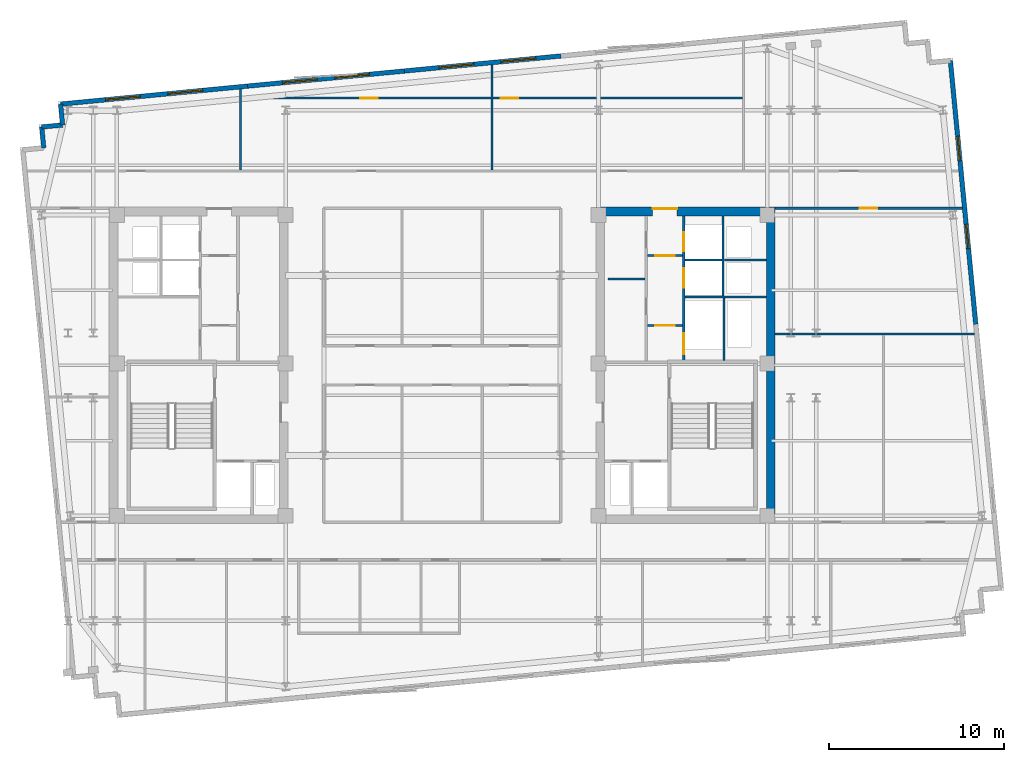
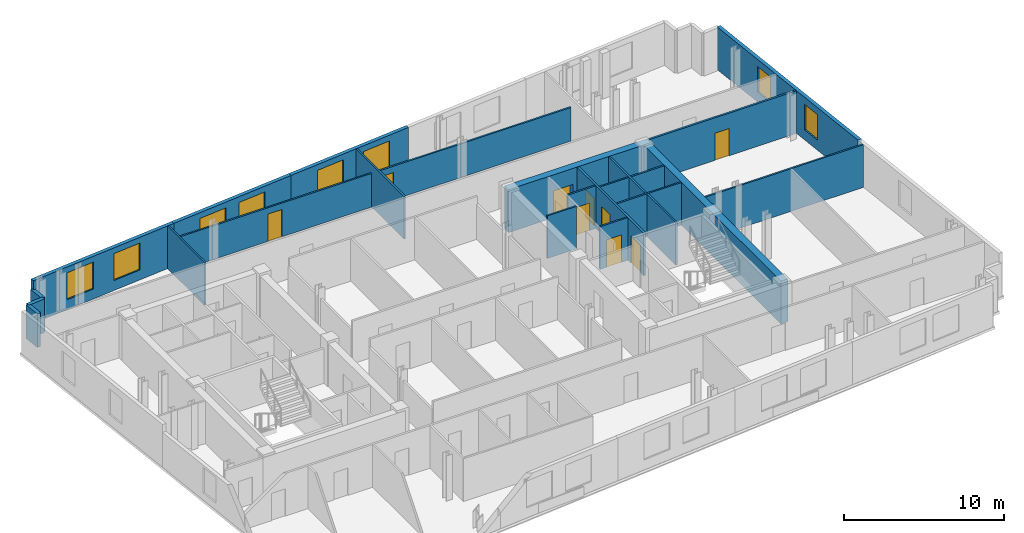
# One storey, part 6 of 9: 23 walls, 9 doors, 8 windows, 17 openings.
"""IFC4 building model written with IfcOpenShell, lengths in metres."""

from ifc_helpers import new_model, si_unit, direction, frame, frame_2d, origin, place, context, subcontext, project, spatial, rectangle, extrude, material, layer, layer_set, type_object, element, fill, save


model = new_model("IFC4")

# Units and contexts
model_context = context("Model", 3, precision=1e-05, world=origin(), true_north=direction((0.0, 1.0)))
body_context = subcontext(model_context, "Body", "Model", "MODEL_VIEW")
ifc_project = project(units=[si_unit("LENGTHUNIT", "METRE"), si_unit("AREAUNIT", "SQUARE_METRE"), si_unit("VOLUMEUNIT", "CUBIC_METRE"), si_unit("PLANEANGLEUNIT", "RADIAN"), si_unit("MASSUNIT", "GRAM", prefix="KILO")], contexts=[model_context])

# Site, building, storey
site_placement = place(None, origin())
site = spatial("IfcSite", under=ifc_project, at=site_placement, CompositionType="ELEMENT")
building_placement = place(site_placement, origin())
building = spatial("IfcBuilding", under=site, at=building_placement, Name="Velakula Bourse", CompositionType="ELEMENT")
storey_placement = place(building_placement, frame((0.0, 0.0, 275.85009765625)))
storey = spatial("IfcBuildingStorey", under=building, at=storey_placement, Name="L75", CompositionType="ELEMENT", Elevation=275.85009765625)

# Wall, opening, door
ifc_material_1 = material(Name="Concrete M50 (fck 50 MPa)", Category="concrete")
ifc_layer_1 = layer(ifc_material_1, 0.5, Name="Concrete M50 (fck 50 MPa)", Category="concrete")
ifc_layer_set_1 = layer_set([ifc_layer_1], Name="Concrete M50 (fck 50 MPa)")
wall_type_1 = type_object("IfcWallType", Name="WL-CORE-500", PredefinedType="SHEAR", material=ifc_layer_set_1)
wall_1_placement = place(storey_placement, frame((8.800048828125, 8.800048828125, 0.0), z_axis=(0.0, 0.0, 1.0), x_axis=(1.0, 0.0, 0.0)))
wall_1 = element("IfcWall", 1, at=wall_1_placement, inside=storey, type_object=wall_type_1, Name="L75 Core E Shear Wall N", PredefinedType="SHEAR", context=body_context, shape_type="SweptSolid", body=[
    extrude(rectangle(XDim=10.25, YDim=0.5, at=frame_2d((5.125, 0.0))), origin(), (0.0, 0.0, 1.0), 3.27001953125),
])
opening_1_placement = place(wall_1_placement, frame((3.25, 0.0, 0.0)))
opening_1 = element("IfcOpeningElement", 2, at=opening_1_placement, cuts=wall_1, Name="Opening D-LLE", PredefinedType="OPENING", context=body_context, shape_type="SweptSolid", body=[
    extrude(rectangle(XDim=1.39990234375, YDim=2.050048828125, at=frame_2d((0.699951171875, 1.02490234375))), frame((0.0, 0.260009765625, 0.0), z_axis=(0.0, -1.0, 0.0), x_axis=(1.0, 0.0, 0.0)), (0.0, 0.0, 1.0), 0.52001953125),
])
ifc_material_2 = material(Name="Fire-rated hardwood flush architectural door", Category="wood")
door_type_1 = type_object("IfcDoorType", Name="DR-DBL-FD60-1400", OperationType="DOUBLE_DOOR_SINGLE_SWING", PredefinedType="DOOR", material=ifc_material_2)
door_1_placement = place(opening_1_placement, origin())
door_1 = element("IfcDoor", 3, at=door_1_placement, inside=storey, type_object=door_type_1, Name="L75 Core E Lift Lobby Corridor Double Door", OperationType="DOUBLE_DOOR_SINGLE_SWING", OverallHeight=2.050048828125, OverallWidth=1.39990234375, PredefinedType="DOOR", context=body_context, shape_type="SweptSolid", body=[
    extrude(rectangle(XDim=1.39990234375, YDim=2.050048828125, at=frame_2d((0.699951171875, 1.02490234375))), frame((0.0, 0.19482421875, 0.0), z_axis=(0.0, -1.0, 0.0), x_axis=(1.0, 0.0, 0.0)), (0.0, 0.0, 1.0), 0.050048828125),
])
fill(opening_1, door_1)

# Wall
wall_2_placement = place(storey_placement, frame((18.800048828125, -8.550048828125, 0.0), z_axis=(0.0, 0.0, 1.0), x_axis=(0.0, 1.0, 0.0)))
element("IfcWall", 4, at=wall_2_placement, inside=storey, type_object=wall_type_1, Name="L75 Core E Shear Wall E", PredefinedType="SHEAR", context=body_context, shape_type="SweptSolid", body=[
    extrude(rectangle(XDim=17.10009765625, YDim=0.5, at=frame_2d((8.550048828125, 0.0))), origin(), (0.0, 0.0, 1.0), 3.27001953125),
])

# Wall, openings, windows
ifc_material_3 = material(Name="Buff kilned clay facing brick masonry", Category="masonry")
ifc_layer_2 = layer(ifc_material_3, 0.260009765625, Name="Buff kilned clay facing brick masonry", Category="masonry")
ifc_layer_set_2 = layer_set([ifc_layer_2], Name="Buff kilned clay facing brick masonry")
wall_type_2 = type_object("IfcWallType", Name="WL-EXT-BRK-260", PredefinedType="STANDARD", material=ifc_layer_set_2)
wall_3_placement = place(storey_placement, frame((-21.820556640625, 14.94482421875, 0.0), z_axis=(0.0, 0.0, 1.0), x_axis=(0.995394787719, 0.095860401528, 0.0)))
wall_3 = element("IfcWall", 5, at=wall_3_placement, inside=storey, type_object=wall_type_2, Name="L75 N Brick Spandrel Wall B1", PredefinedType="STANDARD", context=body_context, shape_type="SweptSolid", body=[
    extrude(rectangle(XDim=10.750244140625, YDim=0.260009765625, at=frame_2d((5.375, 0.0))), origin(), (0.0, 0.0, 1.0), 3.25),
])
opening_2_placement = place(wall_3_placement, frame((2.583251953125, 0.0, 0.760009765625)))
opening_2 = element("IfcOpeningElement", 6, at=opening_2_placement, cuts=wall_3, Name="Opening W-05", PredefinedType="OPENING", context=body_context, shape_type="SweptSolid", body=[
    extrude(rectangle(XDim=2.0, YDim=2.050048828125, at=frame_2d((1.0, 1.02490234375))), frame((0.0, 0.139892578125, 0.0), z_axis=(0.0, -1.0, 0.0), x_axis=(1.0, 0.0, 0.0)), (0.0, 0.0, 1.0), 0.280029296875),
])
opening_3_placement = place(wall_3_placement, frame((6.166748046875, 0.0, 0.760009765625)))
opening_3 = element("IfcOpeningElement", 7, at=opening_3_placement, cuts=wall_3, Name="Opening W-05", PredefinedType="OPENING", context=body_context, shape_type="SweptSolid", body=[
    extrude(rectangle(XDim=2.0, YDim=2.050048828125, at=frame_2d((1.0, 1.02490234375))), frame((0.0, 0.139892578125, 0.0), z_axis=(0.0, -1.0, 0.0), x_axis=(1.0, 0.0, 0.0)), (0.0, 0.0, 1.0), 0.280029296875),
])
ifc_material_4 = material(Name="Double-glazed solar-control Low-E glass", Category="glass")
window_type_1 = type_object("IfcWindowType", Name="WIN-TWR-2000x2200", PartitioningType="DOUBLE_PANEL_VERTICAL", PredefinedType="WINDOW", material=ifc_material_4)
window_1_placement = place(opening_2_placement, origin())
window_1 = element("IfcWindow", 8, at=window_1_placement, inside=storey, type_object=window_type_1, Name="L75 Deep-Set Recessed Window 1", OverallHeight=2.050048828125, OverallWidth=2.0, PartitioningType="DOUBLE_PANEL_VERTICAL", PredefinedType="WINDOW", context=body_context, shape_type="SweptSolid", body=[
    extrude(rectangle(XDim=2.0, YDim=2.050048828125, at=frame_2d((1.0, 1.02490234375))), frame((0.0, 0.030029296875, 0.0), z_axis=(0.0, -1.0, 0.0), x_axis=(1.0, 0.0, 0.0)), (0.0, 0.0, 1.0), 0.06005859375),
])
fill(opening_2, window_1)
window_2_placement = place(opening_3_placement, origin())
window_2 = element("IfcWindow", 9, at=window_2_placement, inside=storey, type_object=window_type_1, Name="L75 Deep-Set Recessed Window 2", OverallHeight=2.050048828125, OverallWidth=2.0, PartitioningType="DOUBLE_PANEL_VERTICAL", PredefinedType="WINDOW", context=body_context, shape_type="SweptSolid", body=[
    extrude(rectangle(XDim=2.0, YDim=2.050048828125, at=frame_2d((1.0, 1.02490234375))), frame((0.0, 0.030029296875, 0.0), z_axis=(0.0, -1.0, 0.0), x_axis=(1.0, 0.0, 0.0)), (0.0, 0.0, 1.0), 0.06005859375),
])
fill(opening_3, window_2)

wall_4_placement = place(storey_placement, frame((-11.119873046875, 15.975341796875, 0.0), z_axis=(0.0, 0.0, 1.0), x_axis=(0.995396794462, 0.09583956164, 0.0)))
wall_4 = element("IfcWall", 10, at=wall_4_placement, inside=storey, type_object=wall_type_2, Name="L75 N Brick Spandrel Wall B2", PredefinedType="STANDARD", context=body_context, shape_type="SweptSolid", body=[
    extrude(rectangle(XDim=9.0, YDim=0.260009765625, at=frame_2d((4.5, 0.0))), origin(), (0.0, 0.0, 1.0), 3.25),
])
opening_4_placement = place(wall_4_placement, frame((2.0, 0.0, 0.760009765625)))
opening_4 = element("IfcOpeningElement", 11, at=opening_4_placement, cuts=wall_4, Name="Opening W-05", PredefinedType="OPENING", context=body_context, shape_type="SweptSolid", body=[
    extrude(rectangle(XDim=2.0, YDim=2.050048828125, at=frame_2d((1.0, 1.02490234375))), frame((0.0, 0.139892578125, 0.0), z_axis=(0.0, -1.0, 0.0), x_axis=(1.0, 0.0, 0.0)), (0.0, 0.0, 1.0), 0.280029296875),
])
opening_5_placement = place(wall_4_placement, frame((5.0, 0.0, 0.760009765625)))
opening_5 = element("IfcOpeningElement", 12, at=opening_5_placement, cuts=wall_4, Name="Opening W-05", PredefinedType="OPENING", context=body_context, shape_type="SweptSolid", body=[
    extrude(rectangle(XDim=2.0, YDim=2.050048828125, at=frame_2d((1.0, 1.02490234375))), frame((0.0, 0.139892578125, 0.0), z_axis=(0.0, -1.0, 0.0), x_axis=(1.0, 0.0, 0.0)), (0.0, 0.0, 1.0), 0.280029296875),
])
window_3_placement = place(opening_4_placement, origin())
window_3 = element("IfcWindow", 13, at=window_3_placement, inside=storey, type_object=window_type_1, Name="L75 Deep-Set Recessed Window 1", OverallHeight=2.050048828125, OverallWidth=2.0, PartitioningType="DOUBLE_PANEL_VERTICAL", PredefinedType="WINDOW", context=body_context, shape_type="SweptSolid", body=[
    extrude(rectangle(XDim=2.0, YDim=2.050048828125, at=frame_2d((1.0, 1.02490234375))), frame((0.0, 0.030029296875, 0.0), z_axis=(0.0, -1.0, 0.0), x_axis=(1.0, 0.0, 0.0)), (0.0, 0.0, 1.0), 0.06005859375),
])
fill(opening_4, window_3)
window_4_placement = place(opening_5_placement, origin())
window_4 = element("IfcWindow", 14, at=window_4_placement, inside=storey, type_object=window_type_1, Name="L75 Deep-Set Recessed Window 2", OverallHeight=2.050048828125, OverallWidth=2.0, PartitioningType="DOUBLE_PANEL_VERTICAL", PredefinedType="WINDOW", context=body_context, shape_type="SweptSolid", body=[
    extrude(rectangle(XDim=2.0, YDim=2.050048828125, at=frame_2d((1.0, 1.02490234375))), frame((0.0, 0.030029296875, 0.0), z_axis=(0.0, -1.0, 0.0), x_axis=(1.0, 0.0, 0.0)), (0.0, 0.0, 1.0), 0.06005859375),
])
fill(opening_5, window_4)

wall_5_placement = place(storey_placement, frame((-2.161376953125, 16.837890625, 0.0), z_axis=(0.0, 0.0, 1.0), x_axis=(0.995396794462, 0.09583956164, 0.0)))
wall_5 = element("IfcWall", 15, at=wall_5_placement, inside=storey, type_object=wall_type_2, Name="L75 N Brick Spandrel Wall B3", PredefinedType="STANDARD", context=body_context, shape_type="SweptSolid", body=[
    extrude(rectangle(XDim=9.0, YDim=0.260009765625, at=frame_2d((4.5, 0.0))), origin(), (0.0, 0.0, 1.0), 3.25),
])
opening_6_placement = place(wall_5_placement, frame((2.0, 0.0, 0.760009765625)))
opening_6 = element("IfcOpeningElement", 16, at=opening_6_placement, cuts=wall_5, Name="Opening W-05", PredefinedType="OPENING", context=body_context, shape_type="SweptSolid", body=[
    extrude(rectangle(XDim=2.0, YDim=2.050048828125, at=frame_2d((1.0, 1.02490234375))), frame((0.0, 0.139892578125, 0.0), z_axis=(0.0, -1.0, 0.0), x_axis=(1.0, 0.0, 0.0)), (0.0, 0.0, 1.0), 0.280029296875),
])
opening_7_placement = place(wall_5_placement, frame((5.550048828125, 0.0, 0.760009765625)))
opening_7 = element("IfcOpeningElement", 17, at=opening_7_placement, cuts=wall_5, Name="Opening W-05", PredefinedType="OPENING", context=body_context, shape_type="SweptSolid", body=[
    extrude(rectangle(XDim=2.0, YDim=2.050048828125, at=frame_2d((1.0, 1.02490234375))), frame((0.0, 0.139892578125, 0.0), z_axis=(0.0, -1.0, 0.0), x_axis=(1.0, 0.0, 0.0)), (0.0, 0.0, 1.0), 0.280029296875),
])
window_5_placement = place(opening_6_placement, origin())
window_5 = element("IfcWindow", 18, at=window_5_placement, inside=storey, type_object=window_type_1, Name="L75 Deep-Set Recessed Window 1", OverallHeight=2.050048828125, OverallWidth=2.0, PartitioningType="DOUBLE_PANEL_VERTICAL", PredefinedType="WINDOW", context=body_context, shape_type="SweptSolid", body=[
    extrude(rectangle(XDim=2.0, YDim=2.050048828125, at=frame_2d((1.0, 1.02490234375))), frame((0.0, 0.030029296875, 0.0), z_axis=(0.0, -1.0, 0.0), x_axis=(1.0, 0.0, 0.0)), (0.0, 0.0, 1.0), 0.06005859375),
])
fill(opening_6, window_5)
window_6_placement = place(opening_7_placement, origin())
window_6 = element("IfcWindow", 19, at=window_6_placement, inside=storey, type_object=window_type_1, Name="L75 Deep-Set Recessed Window 2", OverallHeight=2.050048828125, OverallWidth=2.0, PartitioningType="DOUBLE_PANEL_VERTICAL", PredefinedType="WINDOW", context=body_context, shape_type="SweptSolid", body=[
    extrude(rectangle(XDim=2.0, YDim=2.050048828125, at=frame_2d((1.0, 1.02490234375))), frame((0.0, 0.030029296875, 0.0), z_axis=(0.0, -1.0, 0.0), x_axis=(1.0, 0.0, 0.0)), (0.0, 0.0, 1.0), 0.06005859375),
])
fill(opening_7, window_6)

wall_6_placement = place(storey_placement, frame((29.0751953125, 17.4345703125, 0.0), z_axis=(0.0, 0.0, 1.0), x_axis=(0.095850890337, -0.995395703638, 0.0)))
wall_6 = element("IfcWall", 20, at=wall_6_placement, inside=storey, type_object=wall_type_2, Name="L75 E Brick End Wall W2", PredefinedType="STANDARD", context=body_context, shape_type="SweptSolid", body=[
    extrude(rectangle(XDim=15.150146484375, YDim=0.260009765625, at=frame_2d((7.5751953125, 0.0))), origin(), (0.0, 0.0, 1.0), 3.25),
])
opening_8_placement = place(wall_6_placement, frame((4.35009765625, 0.0, 0.760009765625)))
opening_8 = element("IfcOpeningElement", 21, at=opening_8_placement, cuts=wall_6, Name="Opening W-03", PredefinedType="OPENING", context=body_context, shape_type="SweptSolid", body=[
    extrude(rectangle(XDim=1.39990234375, YDim=1.949951171875, at=frame_2d((0.699951171875, 0.97509765625))), frame((0.0, 0.139892578125, 0.0), z_axis=(0.0, -1.0, 0.0), x_axis=(1.0, 0.0, 0.0)), (0.0, 0.0, 1.0), 0.280029296875),
])
opening_9_placement = place(wall_6_placement, frame((9.39990234375, 0.0, 0.760009765625)))
opening_9 = element("IfcOpeningElement", 22, at=opening_9_placement, cuts=wall_6, Name="Opening W-03", PredefinedType="OPENING", context=body_context, shape_type="SweptSolid", body=[
    extrude(rectangle(XDim=1.39990234375, YDim=1.949951171875, at=frame_2d((0.699951171875, 0.97509765625))), frame((0.0, 0.139892578125, 0.0), z_axis=(0.0, -1.0, 0.0), x_axis=(1.0, 0.0, 0.0)), (0.0, 0.0, 1.0), 0.280029296875),
])
window_type_2 = type_object("IfcWindowType", Name="WIN-TWR-1400x2100", PartitioningType="SINGLE_PANEL", PredefinedType="WINDOW", material=ifc_material_4)
window_7_placement = place(opening_8_placement, origin())
window_7 = element("IfcWindow", 23, at=window_7_placement, inside=storey, type_object=window_type_2, Name="L75 Deep-Set Recessed Window 1", OverallHeight=1.949951171875, OverallWidth=1.39990234375, PartitioningType="SINGLE_PANEL", PredefinedType="WINDOW", context=body_context, shape_type="SweptSolid", body=[
    extrude(rectangle(XDim=1.39990234375, YDim=1.949951171875, at=frame_2d((0.699951171875, 0.97509765625))), frame((0.0, 0.030029296875, 0.0), z_axis=(0.0, -1.0, 0.0), x_axis=(1.0, 0.0, 0.0)), (0.0, 0.0, 1.0), 0.06005859375),
])
fill(opening_8, window_7)
window_8_placement = place(opening_9_placement, origin())
window_8 = element("IfcWindow", 24, at=window_8_placement, inside=storey, type_object=window_type_2, Name="L75 Deep-Set Recessed Window 2", OverallHeight=1.949951171875, OverallWidth=1.39990234375, PartitioningType="SINGLE_PANEL", PredefinedType="WINDOW", context=body_context, shape_type="SweptSolid", body=[
    extrude(rectangle(XDim=1.39990234375, YDim=1.949951171875, at=frame_2d((0.699951171875, 0.97509765625))), frame((0.0, 0.030029296875, 0.0), z_axis=(0.0, -1.0, 0.0), x_axis=(1.0, 0.0, 0.0)), (0.0, 0.0, 1.0), 0.06005859375),
])
fill(opening_9, window_8)

# Walls
wall_7_placement = place(storey_placement, frame((-21.820556640625, 14.94482421875, 0.0), z_axis=(0.0, 0.0, 1.0), x_axis=(0.096038073607, -0.995377661201, 0.0)))
element("IfcWall", 25, at=wall_7_placement, inside=storey, type_object=wall_type_2, Name="L75 Serrated Corner Brick Wall NW-1", PredefinedType="STANDARD", context=body_context, shape_type="SweptSolid", body=[
    extrude(rectangle(XDim=1.199951171875, YDim=0.260009765625, at=frame_2d((0.60009765625, 0.0))), origin(), (0.0, 0.0, 1.0), 2.56494140625),
])
for number, where, z_axis, x_axis, name in (
    (26, (-21.705322265625, 13.75048828125, 0.0), (0.0, 0.0, 1.0), (-0.995398960025, -0.095817067274, 0.0), "L75 Serrated Corner Brick Wall NW-2"),
    (27, (-22.89990234375, 13.635498046875, 0.0), (0.0, 0.0, 1.0), (0.095817067274, -0.995398960025, 0.0), "L75 Serrated Corner Brick Wall NW-3"),
):
    element("IfcWall", number, at=place(storey_placement, frame(where, z_axis=z_axis, x_axis=x_axis)), inside=storey, type_object=wall_type_2, Name=name, PredefinedType="STANDARD", context=body_context, shape_type="SweptSolid", body=[
        extrude(rectangle(XDim=1.2001953125, YDim=0.260009765625, at=frame_2d((0.60009765625, 0.0))), origin(), (0.0, 0.0, 1.0), 2.56494140625),
    ])

# Wall, opening, door
ifc_material_5 = material(Name="Fire-rated double-layer gypsum drywall partition", Category="gypsum")
ifc_layer_3 = layer(ifc_material_5, 0.1201171875, Name="Fire-rated double-layer gypsum drywall partition", Category="gypsum")
ifc_layer_set_3 = layer_set([ifc_layer_3], Name="Fire-rated double-layer gypsum drywall partition")
wall_type_3 = type_object("IfcWallType", Name="WL-PART-120", PredefinedType="STANDARD", material=ifc_layer_set_3)
wall_8_placement = place(storey_placement, frame((11.75, 2.280029296875, 0.0), z_axis=(0.0, 0.0, 1.0), x_axis=(1.0, 0.0, 0.0)))
wall_8 = element("IfcWall", 28, at=wall_8_placement, inside=storey, type_object=wall_type_3, Name="L75 Interior Partition WL-CRE-L75-LL-K3A", PredefinedType="STANDARD", context=body_context, shape_type="SweptSolid", body=[
    extrude(rectangle(XDim=2.0, YDim=0.1201171875, at=frame_2d((1.0, 0.0))), origin(), (0.0, 0.0, 1.0), 3.25),
])
opening_10_placement = place(wall_8_placement, frame((0.449951171875, 0.0, 0.0)))
opening_10 = element("IfcOpeningElement", 29, at=opening_10_placement, cuts=wall_8, Name="Opening D-LK3", PredefinedType="OPENING", context=body_context, shape_type="SweptSolid", body=[
    extrude(rectangle(XDim=1.10009765625, YDim=2.10009765625, at=frame_2d((0.550048828125, 1.050048828125))), frame((0.0, 0.070068359375, 0.0), z_axis=(0.0, -1.0, 0.0), x_axis=(1.0, 0.0, 0.0)), (0.0, 0.0, 1.0), 0.14013671875),
])
door_type_2 = type_object("IfcDoorType", Name="DR-FD60-1100x2100", OperationType="NOTDEFINED", PredefinedType="DOOR", material=ifc_material_2)
door_2_placement = place(opening_10_placement, origin())
door_2 = element("IfcDoor", 30, at=door_2_placement, inside=storey, type_object=door_type_2, Name="L75 Core E Lift Lobby Vestibule Door A", OperationType="SINGLE_SWING_LEFT", OverallHeight=2.10009765625, OverallWidth=1.10009765625, PredefinedType="DOOR", context=body_context, shape_type="SweptSolid", body=[
    extrude(rectangle(XDim=1.10009765625, YDim=2.10009765625, at=frame_2d((0.550048828125, 1.050048828125))), frame((0.0, 0.02490234375, 0.0), z_axis=(0.0, -1.0, 0.0), x_axis=(1.0, 0.0, 0.0)), (0.0, 0.0, 1.0), 0.050048828125),
])
fill(opening_10, door_2)

wall_9_placement = place(storey_placement, frame((11.75, 6.280029296875, 0.0), z_axis=(0.0, 0.0, 1.0), x_axis=(1.0, 0.0, 0.0)))
wall_9 = element("IfcWall", 31, at=wall_9_placement, inside=storey, type_object=wall_type_3, Name="L75 Interior Partition WL-CRE-L75-LL-K3B", PredefinedType="STANDARD", context=body_context, shape_type="SweptSolid", body=[
    extrude(rectangle(XDim=2.0, YDim=0.1201171875, at=frame_2d((1.0, 0.0))), origin(), (0.0, 0.0, 1.0), 3.25),
])
opening_11_placement = place(wall_9_placement, frame((0.449951171875, 0.0, 0.0)))
opening_11 = element("IfcOpeningElement", 32, at=opening_11_placement, cuts=wall_9, Name="Opening D-LK3", PredefinedType="OPENING", context=body_context, shape_type="SweptSolid", body=[
    extrude(rectangle(XDim=1.10009765625, YDim=2.10009765625, at=frame_2d((0.550048828125, 1.050048828125))), frame((0.0, 0.070068359375, 0.0), z_axis=(0.0, -1.0, 0.0), x_axis=(1.0, 0.0, 0.0)), (0.0, 0.0, 1.0), 0.14013671875),
])
door_3_placement = place(opening_11_placement, origin())
door_3 = element("IfcDoor", 33, at=door_3_placement, inside=storey, type_object=door_type_2, Name="L75 Core E Lift Lobby Vestibule Door B", OperationType="SINGLE_SWING_RIGHT", OverallHeight=2.10009765625, OverallWidth=1.10009765625, PredefinedType="DOOR", context=body_context, shape_type="SweptSolid", body=[
    extrude(rectangle(XDim=1.10009765625, YDim=2.10009765625, at=frame_2d((0.550048828125, 1.050048828125))), frame((0.0, 0.02490234375, 0.0), z_axis=(0.0, -1.0, 0.0), x_axis=(1.0, 0.0, 0.0)), (0.0, 0.0, 1.0), 0.050048828125),
])
fill(opening_11, door_3)

# Walls
wall_10_placement = place(storey_placement, frame((9.5, 4.949951171875, 0.0), z_axis=(0.0, 0.0, 1.0), x_axis=(1.0, 0.0, 0.0)))
element("IfcWall", 34, at=wall_10_placement, inside=storey, type_object=wall_type_3, Name="L75 Interior Partition WL-CRE-L75-RCDIV", PredefinedType="STANDARD", context=body_context, shape_type="SweptSolid", body=[
    extrude(rectangle(XDim=2.10009765625, YDim=0.1201171875, at=frame_2d((1.050048828125, 0.0))), origin(), (0.0, 0.0, 1.0), 3.25),
])
wall_11_placement = place(storey_placement, frame((13.89990234375, 3.919921875, 0.0), z_axis=(0.0, 0.0, 1.0), x_axis=(1.0, 0.0, 0.0)))
element("IfcWall", 35, at=wall_11_placement, inside=storey, type_object=wall_type_3, Name="L75 Interior Partition WL-CRE-L75-HI-S", PredefinedType="STANDARD", context=body_context, shape_type="SweptSolid", body=[
    extrude(rectangle(XDim=4.650146484375, YDim=0.1201171875, at=frame_2d((2.3251953125, 0.0))), origin(), (0.0, 0.0, 1.0), 3.25),
])
wall_12_placement = place(storey_placement, frame((16.14990234375, 6.030029296875, 0.0), z_axis=(0.0, 0.0, 1.0), x_axis=(1.0, 0.0, 0.0)))
element("IfcWall", 36, at=wall_12_placement, inside=storey, type_object=wall_type_3, Name="L75 Interior Partition WL-CRE-L75-RIS-MID", PredefinedType="STANDARD", context=body_context, shape_type="SweptSolid", body=[
    extrude(rectangle(XDim=2.400146484375, YDim=0.1201171875, at=frame_2d((1.2001953125, 0.0))), origin(), (0.0, 0.0, 1.0), 3.25),
])
wall_13_placement = place(storey_placement, frame((16.074951171875, 3.97998046875, 0.0), z_axis=(0.0, 0.0, 1.0), x_axis=(0.0, 1.0, 0.0)))
element("IfcWall", 37, at=wall_13_placement, inside=storey, type_object=wall_type_3, Name="L75 Interior Partition WL-CRE-L75-RIS-F", PredefinedType="STANDARD", context=body_context, shape_type="SweptSolid", body=[
    extrude(rectangle(XDim=4.570068359375, YDim=0.1201171875, at=frame_2d((2.28515625, 0.0))), origin(), (0.0, 0.0, 1.0), 3.25),
])
wall_14_placement = place(storey_placement, frame((13.89990234375, 6.030029296875, 0.0), z_axis=(0.0, 0.0, 1.0), x_axis=(1.0, 0.0, 0.0)))
element("IfcWall", 38, at=wall_14_placement, inside=storey, type_object=wall_type_3, Name="L75 Interior Partition WL-CRE-L75-HI-DIV", PredefinedType="STANDARD", context=body_context, shape_type="SweptSolid", body=[
    extrude(rectangle(XDim=2.10009765625, YDim=0.1201171875, at=frame_2d((1.050048828125, 0.0))), origin(), (0.0, 0.0, 1.0), 3.25),
])
wall_15_placement = place(storey_placement, frame((16.125, 0.27001953125, 0.0), z_axis=(0.0, 0.0, 1.0), x_axis=(0.0, 1.0, 0.0)))
element("IfcWall", 39, at=wall_15_placement, inside=storey, type_object=wall_type_3, Name="L75 Interior Partition WL-CRE-L75-SVL-E", PredefinedType="STANDARD", context=body_context, shape_type="SweptSolid", body=[
    extrude(rectangle(XDim=3.590087890625, YDim=0.1201171875, at=frame_2d((1.794921875, 0.0))), origin(), (0.0, 0.0, 1.0), 3.25),
])
wall_16_placement = place(storey_placement, frame((-11.52294921875, 11.18994140625, 0.0), z_axis=(0.0, 0.0, 1.0), x_axis=(0.0, 1.0, 0.0)))
element("IfcWall", 40, at=wall_16_placement, inside=storey, type_object=wall_type_3, Name="L75 Interior Partition WL-INT-L75-N-D1", PredefinedType="STANDARD", context=body_context, shape_type="SweptSolid", body=[
    extrude(rectangle(XDim=4.615966796875, YDim=0.1201171875, at=frame_2d((2.30810546875, 0.0))), origin(), (0.0, 0.0, 1.0), 3.25),
])
wall_17_placement = place(storey_placement, frame((2.85693359375, 11.18994140625, 0.0), z_axis=(0.0, 0.0, 1.0), x_axis=(0.0, 1.0, 0.0)))
element("IfcWall", 41, at=wall_17_placement, inside=storey, type_object=wall_type_3, Name="L75 Interior Partition WL-INT-L75-N-D2", PredefinedType="STANDARD", context=body_context, shape_type="SweptSolid", body=[
    extrude(rectangle(XDim=6.00048828125, YDim=0.1201171875, at=frame_2d((3.000244140625, 0.0))), origin(), (0.0, 0.0, 1.0), 3.25),
])

# Wall, openings, doors
wall_18_placement = place(storey_placement, frame((-11.462890625, 15.2880859375, 0.0), z_axis=(0.0, 0.0, 1.0), x_axis=(1.0, 0.0, 0.0)))
wall_18 = element("IfcWall", 42, at=wall_18_placement, inside=storey, type_object=wall_type_3, Name="L75 Interior Partition WL-INT-L75-N-MID", PredefinedType="STANDARD", context=body_context, shape_type="SweptSolid", body=[
    extrude(rectangle(XDim=28.638916015625, YDim=0.1201171875, at=frame_2d((14.3193359375, 0.0))), origin(), (0.0, 0.0, 1.0), 2.56494140625),
])
opening_12_placement = place(wall_18_placement, frame((6.787109375, 0.0, 0.0)))
opening_12 = element("IfcOpeningElement", 43, at=opening_12_placement, cuts=wall_18, Name="Opening D-OF1", PredefinedType="OPENING", context=body_context, shape_type="SweptSolid", body=[
    extrude(rectangle(XDim=1.0, YDim=2.080078125, at=frame_2d((0.5, 1.0400390625))), frame((0.0, 0.070068359375, 0.0), z_axis=(0.0, -1.0, 0.0), x_axis=(1.0, 0.0, 0.0)), (0.0, 0.0, 1.0), 0.14013671875),
])
opening_13_placement = place(wall_18_placement, frame((14.82421875, 0.0, 0.0)))
opening_13 = element("IfcOpeningElement", 44, at=opening_13_placement, cuts=wall_18, Name="Opening D-OF1", PredefinedType="OPENING", context=body_context, shape_type="SweptSolid", body=[
    extrude(rectangle(XDim=1.0, YDim=2.080078125, at=frame_2d((0.5, 1.0400390625))), frame((0.0, 0.070068359375, 0.0), z_axis=(0.0, -1.0, 0.0), x_axis=(1.0, 0.0, 0.0)), (0.0, 0.0, 1.0), 0.14013671875),
])
door_type_3 = type_object("IfcDoorType", Name="DR-OFF-1000", OperationType="NOTDEFINED", PredefinedType="DOOR", material=ifc_material_2)
door_4_placement = place(opening_12_placement, origin())
door_4 = element("IfcDoor", 45, at=door_4_placement, inside=storey, type_object=door_type_3, Name="L75 Listing Committee Chamber Door", OperationType="SINGLE_SWING_LEFT", OverallHeight=2.080078125, OverallWidth=1.0, PredefinedType="DOOR", context=body_context, shape_type="SweptSolid", body=[
    extrude(rectangle(XDim=1.0, YDim=2.080078125, at=frame_2d((0.5, 1.0400390625))), frame((0.0, 0.02490234375, 0.0), z_axis=(0.0, -1.0, 0.0), x_axis=(1.0, 0.0, 0.0)), (0.0, 0.0, 1.0), 0.050048828125),
])
fill(opening_12, door_4)
door_5_placement = place(opening_13_placement, origin())
door_5 = element("IfcDoor", 46, at=door_5_placement, inside=storey, type_object=door_type_3, Name="L75 Traders Pantry Door", OperationType="SINGLE_SWING_LEFT", OverallHeight=2.080078125, OverallWidth=1.0, PredefinedType="DOOR", context=body_context, shape_type="SweptSolid", body=[
    extrude(rectangle(XDim=1.0, YDim=2.080078125, at=frame_2d((0.5, 1.0400390625))), frame((0.0, 0.02490234375, 0.0), z_axis=(0.0, -1.0, 0.0), x_axis=(1.0, 0.0, 0.0)), (0.0, 0.0, 1.0), 0.050048828125),
])
fill(opening_13, door_5)

# Wall
wall_19_placement = place(storey_placement, frame((19.050048828125, 1.800048828125, 0.0), z_axis=(0.0, 0.0, 1.0), x_axis=(1.0, 0.0, 0.0)))
element("IfcWall", 47, at=wall_19_placement, inside=storey, type_object=wall_type_3, Name="L75 Interior Partition WL-INT-L75-E-H", PredefinedType="STANDARD", context=body_context, shape_type="SweptSolid", body=[
    extrude(rectangle(XDim=11.400146484375, YDim=0.1201171875, at=frame_2d((5.7001953125, 0.0))), origin(), (0.0, 0.0, 1.0), 3.25),
])

# Wall, opening, door
ifc_layer_4 = layer(ifc_material_5, 0.139892578125, Name="Fire-rated double-layer gypsum drywall partition", Category="gypsum")
ifc_layer_set_4 = layer_set([ifc_layer_4], Name="Fire-rated double-layer gypsum drywall partition")
wall_type_4 = type_object("IfcWallType", Name="WL-PART-140", PredefinedType="STANDARD", material=ifc_layer_set_4)
wall_20_placement = place(storey_placement, frame((19.050048828125, 8.97998046875, 0.0), z_axis=(0.0, 0.0, 1.0), x_axis=(1.0, 0.0, 0.0)))
wall_20 = element("IfcWall", 48, at=wall_20_placement, inside=storey, type_object=wall_type_4, Name="L75 Interior Partition WL-INT-L75-E-NC", PredefinedType="STANDARD", context=body_context, shape_type="SweptSolid", body=[
    extrude(rectangle(XDim=10.708740234375, YDim=0.139892578125, at=frame_2d((5.3544921875, 0.0))), origin(), (0.0, 0.0, 1.0), 3.25),
])
opening_14_placement = place(wall_20_placement, frame((4.8544921875, 0.0, 0.0)))
opening_14 = element("IfcOpeningElement", 49, at=opening_14_placement, cuts=wall_20, Name="Opening D-OF1", PredefinedType="OPENING", context=body_context, shape_type="SweptSolid", body=[
    extrude(rectangle(XDim=1.0, YDim=2.080078125, at=frame_2d((0.5, 1.0400390625))), frame((0.0, 0.079833984375, 0.0), z_axis=(0.0, -1.0, 0.0), x_axis=(1.0, 0.0, 0.0)), (0.0, 0.0, 1.0), 0.159912109375),
])
door_6_placement = place(opening_14_placement, origin())
door_6 = element("IfcDoor", 50, at=door_6_placement, inside=storey, type_object=door_type_3, Name="L75 General Counsel Office Door", OperationType="SINGLE_SWING_RIGHT", OverallHeight=2.080078125, OverallWidth=1.0, PredefinedType="DOOR", context=body_context, shape_type="SweptSolid", body=[
    extrude(rectangle(XDim=1.0, YDim=2.080078125, at=frame_2d((0.5, 1.0400390625))), frame((0.0, 0.02490234375, 0.0), z_axis=(0.0, -1.0, 0.0), x_axis=(1.0, 0.0, 0.0)), (0.0, 0.0, 1.0), 0.050048828125),
])
fill(opening_14, door_6)

# Wall, openings, doors
ifc_material_6 = material(Name="Autoclaved aerated concrete blockwork masonry", Category="masonry")
ifc_layer_5 = layer(ifc_material_6, 0.14990234375, Name="Autoclaved aerated concrete blockwork masonry", Category="masonry")
ifc_layer_set_5 = layer_set([ifc_layer_5], Name="Autoclaved aerated concrete blockwork masonry")
wall_type_5 = type_object("IfcWallType", Name="WL-SHAFT-150", PredefinedType="STANDARD", material=ifc_layer_set_5)
wall_21_placement = place(storey_placement, frame((13.824951171875, 0.27001953125, 0.0), z_axis=(0.0, 0.0, 1.0), x_axis=(0.0, 1.0, 0.0)))
wall_21 = element("IfcWall", 51, at=wall_21_placement, inside=storey, type_object=wall_type_5, Name="L75 Interior Partition WL-CRE-L75-OUT-F", PredefinedType="STANDARD", context=body_context, shape_type="SweptSolid", body=[
    extrude(rectangle(XDim=8.280029296875, YDim=0.14990234375, at=frame_2d((4.14013671875, 0.0))), origin(), (0.0, 0.0, 1.0), 3.25),
])
opening_15_placement = place(wall_21_placement, frame((4.175048828125, 0.0, 0.0)))
opening_15 = element("IfcOpeningElement", 52, at=opening_15_placement, cuts=wall_21, Name="Opening LD-P11", PredefinedType="OPENING", context=body_context, shape_type="SweptSolid", body=[
    extrude(rectangle(XDim=1.10009765625, YDim=2.10009765625, at=frame_2d((0.550048828125, 1.050048828125))), frame((0.0, 0.0849609375, 0.0), z_axis=(0.0, -1.0, 0.0), x_axis=(1.0, 0.0, 0.0)), (0.0, 0.0, 1.0), 0.169921875),
])
opening_16_placement = place(wall_21_placement, frame((6.2451171875, 0.0, 0.0)))
opening_16 = element("IfcOpeningElement", 53, at=opening_16_placement, cuts=wall_21, Name="Opening LD-P12", PredefinedType="OPENING", context=body_context, shape_type="SweptSolid", body=[
    extrude(rectangle(XDim=1.10009765625, YDim=2.10009765625, at=frame_2d((0.550048828125, 1.050048828125))), frame((0.0, 0.0849609375, 0.0), z_axis=(0.0, -1.0, 0.0), x_axis=(1.0, 0.0, 0.0)), (0.0, 0.0, 1.0), 0.169921875),
])
opening_17_placement = place(wall_21_placement, frame((0.3798828125, 0.0, 0.0)))
opening_17 = element("IfcOpeningElement", 54, at=opening_17_placement, cuts=wall_21, Name="Opening LD-SVL1", PredefinedType="OPENING", context=body_context, shape_type="SweptSolid", body=[
    extrude(rectangle(XDim=1.199951171875, YDim=2.10009765625, at=frame_2d((0.60009765625, 1.050048828125))), frame((0.0, 0.0849609375, 0.0), z_axis=(0.0, -1.0, 0.0), x_axis=(1.0, 0.0, 0.0)), (0.0, 0.0, 1.0), 0.169921875),
])
ifc_material_7 = material(Name="Brushed grade 316 stainless steel", Category="steel")
door_type_4 = type_object("IfcDoorType", Name="DR-SLIDE-LD-1100", OperationType="DOUBLE_DOOR_SLIDING", PredefinedType="DOOR", material=ifc_material_7)
door_7_placement = place(opening_15_placement, origin())
door_7 = element("IfcDoor", 55, at=door_7_placement, inside=storey, type_object=door_type_4, Name="L75 Passenger Lift P11 Sliding Landing Door", OperationType="DOUBLE_DOOR_SLIDING", OverallHeight=2.10009765625, OverallWidth=1.10009765625, PredefinedType="DOOR", context=body_context, shape_type="SweptSolid", body=[
    extrude(rectangle(XDim=1.10009765625, YDim=2.10009765625, at=frame_2d((0.550048828125, 1.050048828125))), frame((0.0, 0.02490234375, 0.0), z_axis=(0.0, -1.0, 0.0), x_axis=(1.0, 0.0, 0.0)), (0.0, 0.0, 1.0), 0.050048828125),
])
fill(opening_15, door_7)
door_8_placement = place(opening_16_placement, origin())
door_8 = element("IfcDoor", 56, at=door_8_placement, inside=storey, type_object=door_type_4, Name="L75 Passenger Lift P12 Sliding Landing Door", OperationType="DOUBLE_DOOR_SLIDING", OverallHeight=2.10009765625, OverallWidth=1.10009765625, PredefinedType="DOOR", context=body_context, shape_type="SweptSolid", body=[
    extrude(rectangle(XDim=1.10009765625, YDim=2.10009765625, at=frame_2d((0.550048828125, 1.050048828125))), frame((0.0, 0.02490234375, 0.0), z_axis=(0.0, -1.0, 0.0), x_axis=(1.0, 0.0, 0.0)), (0.0, 0.0, 1.0), 0.050048828125),
])
fill(opening_16, door_8)
door_type_5 = type_object("IfcDoorType", Name="DR-SLIDE-LD-1200", OperationType="DOUBLE_DOOR_SLIDING", PredefinedType="DOOR", material=ifc_material_7)
door_9_placement = place(opening_17_placement, origin())
door_9 = element("IfcDoor", 57, at=door_9_placement, inside=storey, type_object=door_type_5, Name="L75 Service Lift SVL-1 Sliding Landing Door", OperationType="DOUBLE_DOOR_SLIDING", OverallHeight=2.10009765625, OverallWidth=1.199951171875, PredefinedType="DOOR", context=body_context, shape_type="SweptSolid", body=[
    extrude(rectangle(XDim=1.199951171875, YDim=2.10009765625, at=frame_2d((0.60009765625, 1.050048828125))), frame((0.0, 0.02490234375, 0.0), z_axis=(0.0, -1.0, 0.0), x_axis=(1.0, 0.0, 0.0)), (0.0, 0.0, 1.0), 0.050048828125),
])
fill(opening_17, door_9)

save(model, "model.ifc")
